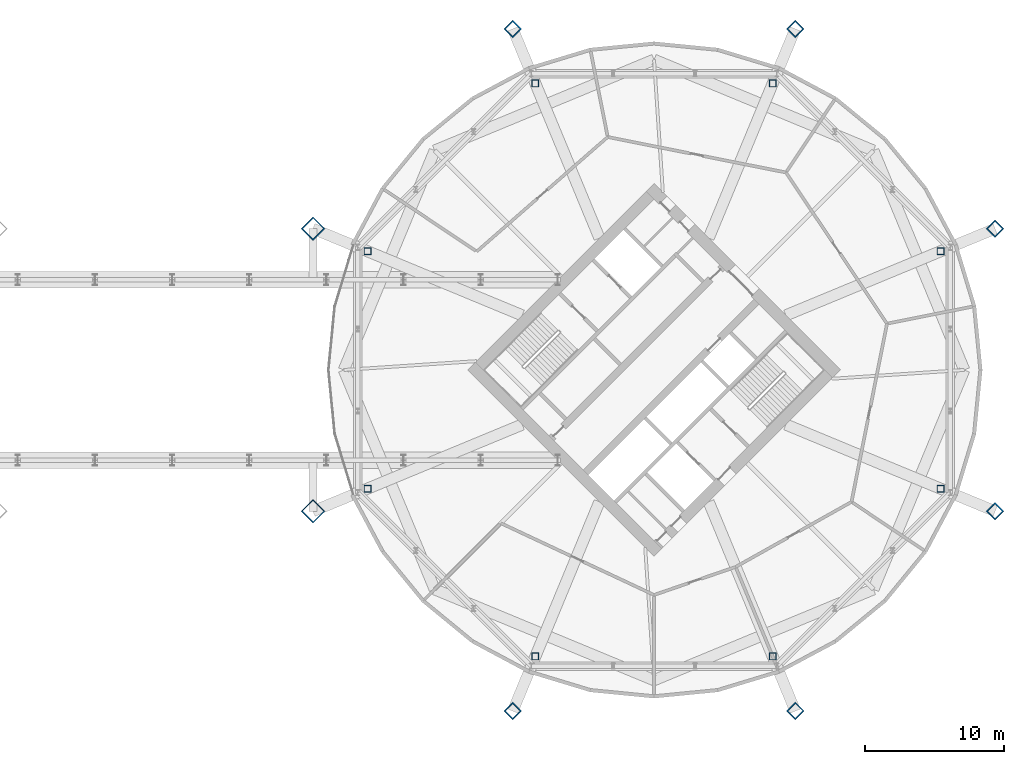
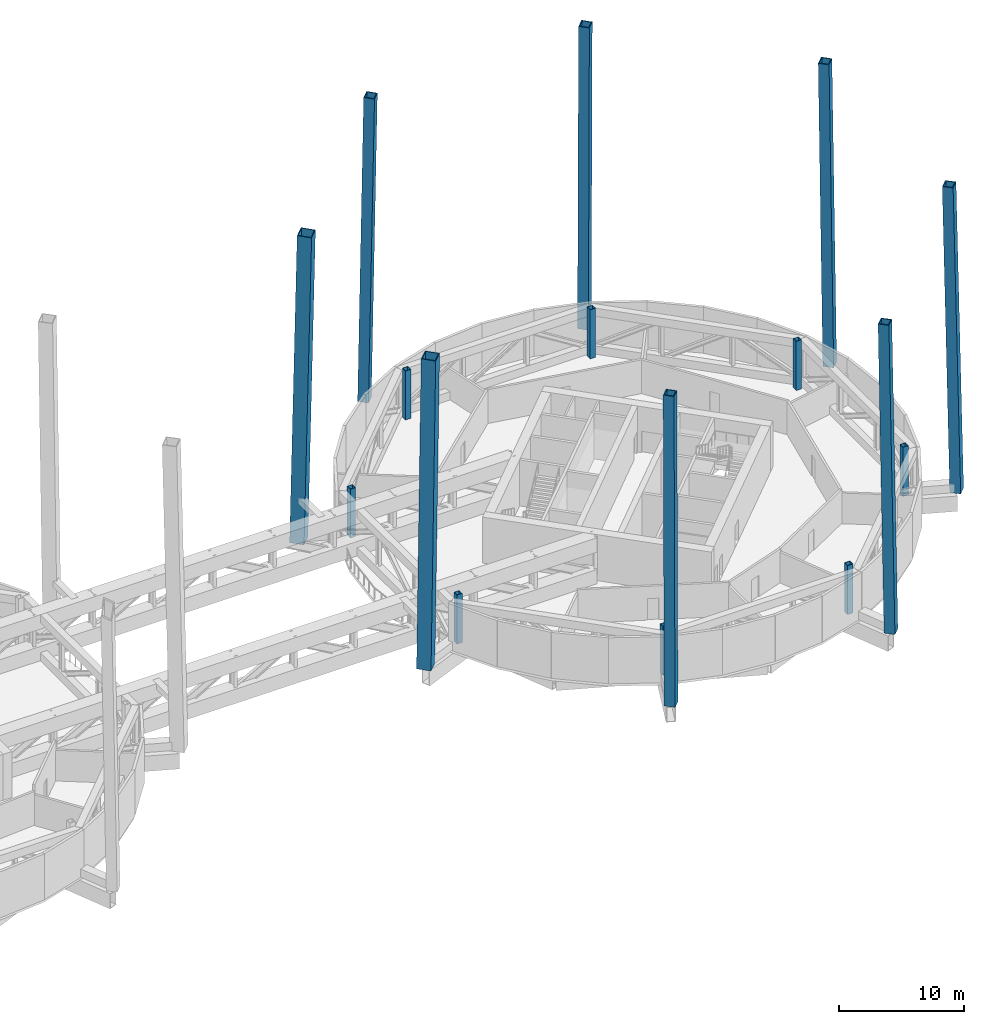
# One storey, part 2 of 19: 16 columns.
"""IFC4 building model written with IfcOpenShell, lengths in metres."""

from ifc_helpers import new_model, si_unit, direction, frame, origin, origin_2d, place, context, subcontext, project, spatial, hollow_rectangle, extrude, material, material_profile, profile_set, type_object, element, save


model = new_model("IFC4")

# Units and contexts
model_context = context("Model", 3, precision=1e-05, world=origin(), true_north=direction((0.0, 1.0)))
body_context = subcontext(model_context, "Body", "Model", "MODEL_VIEW")
ifc_project = project(units=[si_unit("LENGTHUNIT", "METRE"), si_unit("AREAUNIT", "SQUARE_METRE"), si_unit("VOLUMEUNIT", "CUBIC_METRE"), si_unit("PLANEANGLEUNIT", "RADIAN"), si_unit("MASSUNIT", "GRAM", prefix="KILO")], contexts=[model_context])

# Site, building, storey
site_placement = place(None, origin())
site = spatial("IfcSite", under=ifc_project, at=site_placement, CompositionType="ELEMENT")
building_placement = place(site_placement, origin())
building = spatial("IfcBuilding", under=site, at=building_placement, Name="Ogive Gate Towers", CompositionType="ELEMENT")
storey_placement = place(building_placement, frame((0.0, 0.0, 130.800048828125)))
storey = spatial("IfcBuildingStorey", under=building, at=storey_placement, Name="L31", CompositionType="ELEMENT", Elevation=130.800048828125)

# Columns
ifc_material = material(Name="Steel SM460", Category="steel")
ifc_material_profile_1 = material_profile(ifc_material, hollow_rectangle(XDim=0.89990234375, YDim=0.89990234375, WallThickness=0.080078125, at=origin_2d()), Name="BX 900x900x80")
ifc_profile_set_1 = profile_set([ifc_material_profile_1], Name="Steel SM460")
column_type_1 = type_object("IfcColumnType", Name="Gate column BX 900x900x80", PredefinedType="COLUMN", material=ifc_profile_set_1)
for number, where, z_axis, x_axis, name in (
    (1, (60.5751953125, 10.179443359375, 0.0), (-0.018778670571, -0.007786476489, 0.999793344805), (0.707293864185, -0.706876840783, 0.007779566259), "T2/L31/SCL001"),
    (2, (46.179443359375, 24.5751953125, 0.0), (-0.007786476489, -0.018778670571, 0.999793344805), (0.707293788145, 0.706670185601, 0.018781534372), "T2/L31/SCL002"),
    (3, (25.820556640625, 24.5751953125, 0.0), (0.007786476489, -0.018778670571, 0.999793344805), (-0.707293788145, 0.706670185601, 0.018781534372), "T2/L31/SCL003"),
    (4, (25.820556640625, -24.5751953125, 0.0), (0.007786476489, 0.018778670571, 0.999793344805), (0.707293788145, 0.706670185601, -0.018781534372), "T2/L31/SCL006"),
    (5, (46.179443359375, -24.5751953125, 0.0), (-0.007786476489, 0.018778670571, 0.999793344805), (-0.707293788145, 0.706670185601, -0.018781534372), "T2/L31/SCL007"),
    (6, (60.5751953125, -10.179443359375, 0.0), (-0.018778670571, 0.007786476489, 0.999793344805), (-0.707293864185, -0.706876840783, -0.007779566259), "T2/L31/SCL008"),
):
    element("IfcColumn", number, at=place(storey_placement, frame(where, z_axis=z_axis, x_axis=x_axis)), inside=storey, type_object=column_type_1, Name=name, PredefinedType="COLUMN", context=body_context, shape_type="SweptSolid", body=[
        extrude(hollow_rectangle(XDim=0.89990234375, YDim=0.89990234375, WallThickness=0.080078125, at=origin_2d()), origin(), (0.0, 0.0, 1.0), 30.006103515625),
    ])
ifc_material_profile_2 = material_profile(ifc_material, hollow_rectangle(XDim=1.199951171875, YDim=1.199951171875, WallThickness=0.070068359375, at=origin_2d()), Name="BX 1200x1200x70")
ifc_profile_set_2 = profile_set([ifc_material_profile_2], Name="Steel SM460")
column_type_2 = type_object("IfcColumnType", Name="Gate jamb column BX 1200x1200x70", PredefinedType="COLUMN", material=ifc_profile_set_2)
for number, where, z_axis, x_axis, name in (
    (7, (11.4248046875, 10.179443359375, 0.0), (0.018778670571, -0.007786476489, 0.999793344805), (-0.707293864185, -0.706876840783, 0.007779566259), "T2/L31/SCL004"),
    (8, (11.4248046875, -10.179443359375, 0.0), (0.018778670571, 0.007786476489, 0.999793344805), (0.707293864185, -0.706876840783, -0.007779566259), "T2/L31/SCL005"),
):
    element("IfcColumn", number, at=place(storey_placement, frame(where, z_axis=z_axis, x_axis=x_axis)), inside=storey, type_object=column_type_2, Name=name, PredefinedType="COLUMN", context=body_context, shape_type="SweptSolid", body=[
        extrude(hollow_rectangle(XDim=1.199951171875, YDim=1.199951171875, WallThickness=0.070068359375, at=origin_2d()), origin(), (0.0, 0.0, 1.0), 30.006103515625),
    ])
ifc_material_profile_3 = material_profile(ifc_material, hollow_rectangle(XDim=0.5, YDim=0.5, WallThickness=0.030029296875, at=origin_2d()), Name="BX 500x500x30")
ifc_profile_set_3 = profile_set([ifc_material_profile_3], Name="Steel SM460")
column_type_3 = type_object("IfcColumnType", Name="Perimeter post BX 500x500x30", PredefinedType="COLUMN", material=ifc_profile_set_3)
for number, where, z_axis, x_axis, name in (
    (9, (56.639404296875, 8.549072265625, 0.0), (0.0, 0.0, 1.0), (1.0, 0.0, 0.0), "T2/L31/SCL009"),
    (10, (44.549072265625, 20.639404296875, 0.0), (0.0, 0.0, 1.0), (1.0, 0.0, 0.0), "T2/L31/SCL010"),
    (11, (27.450927734375, 20.639404296875, 0.0), (0.0, 0.0, 1.0), (1.0, 0.0, 0.0), "T2/L31/SCL011"),
    (12, (15.360595703125, 8.549072265625, 0.0), (0.0, 0.0, 1.0), (1.0, 0.0, 0.0), "T2/L31/SCL012"),
    (13, (15.360595703125, -8.549072265625, 0.0), (0.0, 0.0, 1.0), (1.0, 0.0, 0.0), "T2/L31/SCL013"),
    (14, (27.450927734375, -20.639404296875, 0.0), (0.0, 0.0, 1.0), (1.0, 0.0, 0.0), "T2/L31/SCL014"),
    (15, (44.549072265625, -20.639404296875, 0.0), (0.0, 0.0, 1.0), (1.0, 0.0, 0.0), "T2/L31/SCL015"),
    (16, (56.639404296875, -8.549072265625, 0.0), (0.0, 0.0, 1.0), (1.0, 0.0, 0.0), "T2/L31/SCL016"),
):
    element("IfcColumn", number, at=place(storey_placement, frame(where, z_axis=z_axis, x_axis=x_axis)), inside=storey, type_object=column_type_3, Name=name, PredefinedType="COLUMN", context=body_context, shape_type="SweptSolid", body=[
        extrude(hollow_rectangle(XDim=0.5, YDim=0.5, WallThickness=0.030029296875, at=origin_2d()), origin(), (0.0, 0.0, 1.0), 4.800048828125),
    ])

save(model, "model.ifc")
